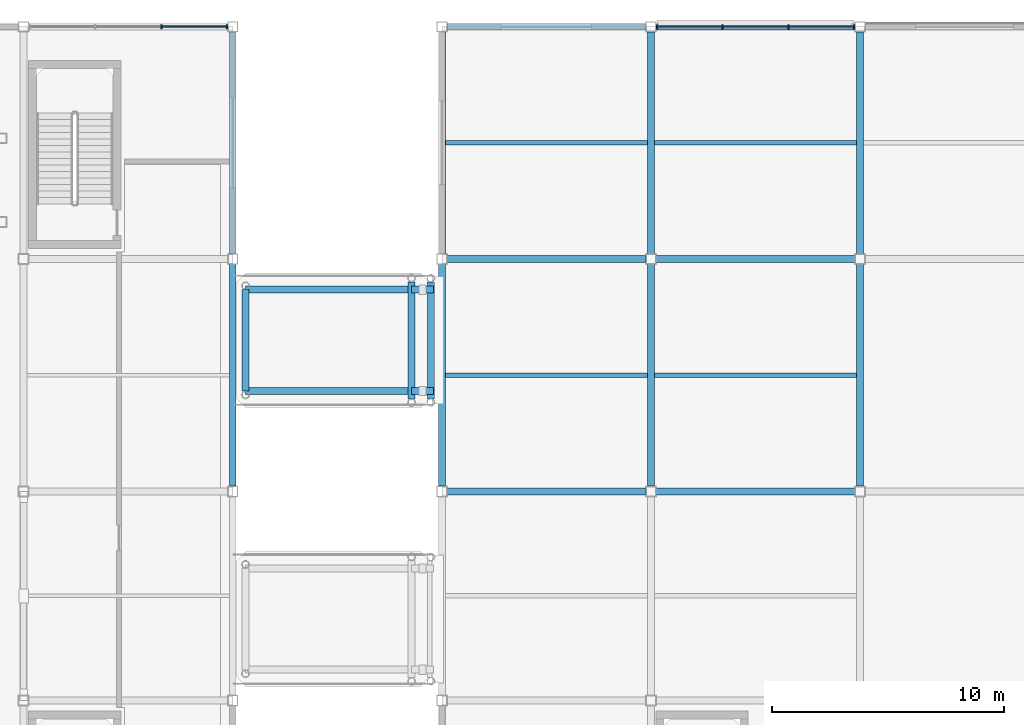
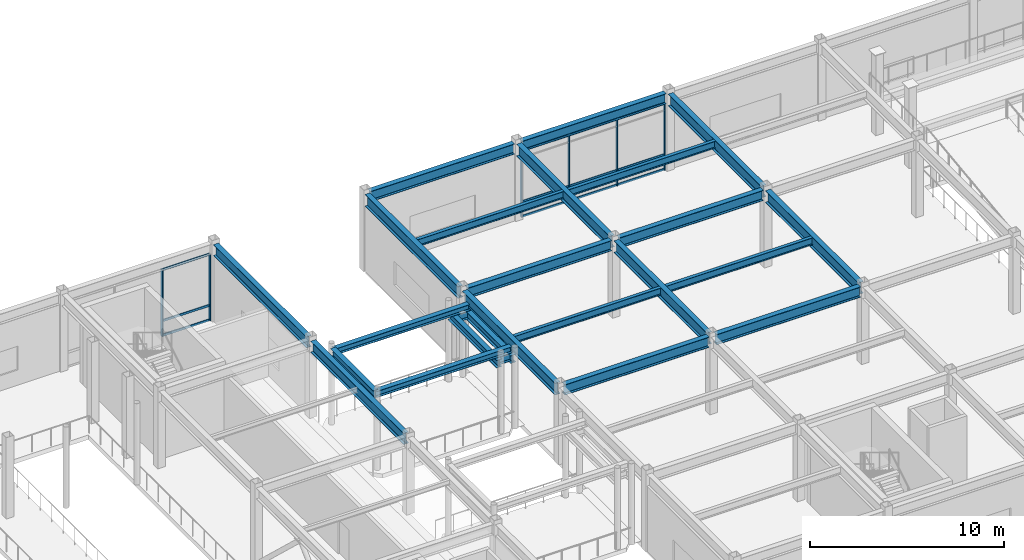
# One storey, part 45 of 123: 25 beams, 18 members, 2 elements without a shape of their own.
"""IFC4 building model written with IfcOpenShell, lengths in metres."""

from ifc_helpers import new_model, si_unit, direction, frame, origin, origin_2d, place, context, subcontext, project, spatial, rectangle, i_section, extrude, material, material_profile, profile_set, type_object, element, aggregate, save


model = new_model("IFC4")

# Units and contexts
model_context = context("Model", 3, precision=1e-05, world=origin(), true_north=direction((0.0, 1.0)))
body_context = subcontext(model_context, "Body", "Model", "MODEL_VIEW")
ifc_project = project(units=[si_unit("LENGTHUNIT", "METRE"), si_unit("AREAUNIT", "SQUARE_METRE"), si_unit("VOLUMEUNIT", "CUBIC_METRE"), si_unit("PLANEANGLEUNIT", "RADIAN"), si_unit("MASSUNIT", "GRAM", prefix="KILO")], contexts=[model_context])

# Site, building, storey
site_placement = place(None, origin())
site = spatial("IfcSite", under=ifc_project, at=site_placement, CompositionType="ELEMENT")
building_placement = place(site_placement, origin())
building = spatial("IfcBuilding", under=site, at=building_placement, Name="Suzunagisa Mobility Hub", CompositionType="ELEMENT")
storey_placement = place(building_placement, origin())
storey = spatial("IfcBuildingStorey", under=building, at=storey_placement, Name="L00", CompositionType="ELEMENT", Elevation=0.0)

# Curtain wall, members
ifc_material_1 = material(Name="Thermally Broken Anodized Aluminum and Low-E Glazing", Category="aluminium")
curtain_wall_type = type_object("IfcCurtainWallType", Name="Unitised Curtain Wall CW-32 8500x4200", PredefinedType="USERDEFINED", material=ifc_material_1)
curtain_wall_1_placement = place(storey_placement, origin())
curtain_wall_1 = element("IfcCurtainWall", 1, at=curtain_wall_1_placement, inside=storey, type_object=curtain_wall_type, Name="L00 Unitised Curtain Wall CW-47", ObjectType="UNITISED CURTAIN WALL", PredefinedType="USERDEFINED")
ifc_material_2 = material(Name="Anodized Aluminum 6063-T6", Category="aluminium")
ifc_material_profile_1 = material_profile(ifc_material_2, rectangle(XDim=0.06494140625, YDim=0.139892578125, at=origin_2d()), Name="TRAN-65x140")
ifc_profile_set_1 = profile_set([ifc_material_profile_1], Name="Anodized Aluminum 6063-T6")
member_type_1 = type_object("IfcMemberType", Name="Curtain Wall Framing CM-01 TRAN-65x140", PredefinedType="USERDEFINED", material=ifc_profile_set_1)
member_1_placement = place(storey_placement, frame((35.7119140625, 118.0, 0.032470703125), z_axis=(-1.0, 0.0, 0.0), x_axis=(0.0, -1.0, 0.0)))
member_1 = element("IfcMember", 2, at=member_1_placement, type_object=member_type_1, Name="Curtain Wall Transom 47-T1.1", ObjectType="TRANSOM", PredefinedType="USERDEFINED", context=body_context, shape_type="SweptSolid", body=[
    extrude(rectangle(XDim=0.06494140625, YDim=0.139892578125, at=origin_2d()), origin(), (0.0, 0.0, 1.0), 2.75634765625),
])
member_2_placement = place(storey_placement, frame((35.7119140625, 118.0, 0.949951171875), z_axis=(-1.0, 0.0, 0.0), x_axis=(0.0, -1.0, 0.0)))
member_2 = element("IfcMember", 3, at=member_2_placement, type_object=member_type_1, Name="Curtain Wall Transom 47-T1.2", ObjectType="TRANSOM", PredefinedType="USERDEFINED", context=body_context, shape_type="SweptSolid", body=[
    extrude(rectangle(XDim=0.06494140625, YDim=0.139892578125, at=origin_2d()), origin(), (0.0, 0.0, 1.0), 2.75634765625),
])
member_3_placement = place(storey_placement, frame((35.7119140625, 118.0, 4.157470703125), z_axis=(-1.0, 0.0, 0.0), x_axis=(0.0, -1.0, 0.0)))
member_3 = element("IfcMember", 4, at=member_3_placement, type_object=member_type_1, Name="Curtain Wall Transom 47-T1.3", ObjectType="TRANSOM", PredefinedType="USERDEFINED", context=body_context, shape_type="SweptSolid", body=[
    extrude(rectangle(XDim=0.06494140625, YDim=0.139892578125, at=origin_2d()), origin(), (0.0, 0.0, 1.0), 2.75634765625),
])

curtain_wall_2_placement = place(storey_placement, origin())
curtain_wall_2 = element("IfcCurtainWall", 5, at=curtain_wall_2_placement, inside=storey, type_object=curtain_wall_type, Name="L00 Unitised Curtain Wall CW-99", ObjectType="UNITISED CURTAIN WALL", PredefinedType="USERDEFINED")
member_4_placement = place(storey_placement, frame((62.7119140625, 118.0, 0.032470703125), z_axis=(-1.0, 0.0, 0.0), x_axis=(0.0, -1.0, 0.0)))
member_4 = element("IfcMember", 6, at=member_4_placement, type_object=member_type_1, Name="Curtain Wall Transom 99-T1.1", ObjectType="TRANSOM", PredefinedType="USERDEFINED", context=body_context, shape_type="SweptSolid", body=[
    extrude(rectangle(XDim=0.06494140625, YDim=0.139892578125, at=origin_2d()), origin(), (0.0, 0.0, 1.0), 2.75634765625),
])
member_5_placement = place(storey_placement, frame((62.7119140625, 118.0, 0.949951171875), z_axis=(-1.0, 0.0, 0.0), x_axis=(0.0, -1.0, 0.0)))
member_5 = element("IfcMember", 7, at=member_5_placement, type_object=member_type_1, Name="Curtain Wall Transom 99-T1.2", ObjectType="TRANSOM", PredefinedType="USERDEFINED", context=body_context, shape_type="SweptSolid", body=[
    extrude(rectangle(XDim=0.06494140625, YDim=0.139892578125, at=origin_2d()), origin(), (0.0, 0.0, 1.0), 2.75634765625),
])
member_6_placement = place(storey_placement, frame((62.7119140625, 118.0, 4.157470703125), z_axis=(-1.0, 0.0, 0.0), x_axis=(0.0, -1.0, 0.0)))
member_6 = element("IfcMember", 8, at=member_6_placement, type_object=member_type_1, Name="Curtain Wall Transom 99-T1.3", ObjectType="TRANSOM", PredefinedType="USERDEFINED", context=body_context, shape_type="SweptSolid", body=[
    extrude(rectangle(XDim=0.06494140625, YDim=0.139892578125, at=origin_2d()), origin(), (0.0, 0.0, 1.0), 2.75634765625),
])
member_7_placement = place(storey_placement, frame((59.89453125, 118.0, 0.032470703125), z_axis=(-1.0, 0.0, 0.0), x_axis=(0.0, -1.0, 0.0)))
member_7 = element("IfcMember", 9, at=member_7_placement, type_object=member_type_1, Name="Curtain Wall Transom 99-T2.1", ObjectType="TRANSOM", PredefinedType="USERDEFINED", context=body_context, shape_type="SweptSolid", body=[
    extrude(rectangle(XDim=0.06494140625, YDim=0.139892578125, at=origin_2d()), origin(), (0.0, 0.0, 1.0), 2.7890625),
])
member_8_placement = place(storey_placement, frame((59.89453125, 118.0, 0.949951171875), z_axis=(-1.0, 0.0, 0.0), x_axis=(0.0, -1.0, 0.0)))
member_8 = element("IfcMember", 10, at=member_8_placement, type_object=member_type_1, Name="Curtain Wall Transom 99-T2.2", ObjectType="TRANSOM", PredefinedType="USERDEFINED", context=body_context, shape_type="SweptSolid", body=[
    extrude(rectangle(XDim=0.06494140625, YDim=0.139892578125, at=origin_2d()), origin(), (0.0, 0.0, 1.0), 2.7890625),
])
member_9_placement = place(storey_placement, frame((59.89453125, 118.0, 4.157470703125), z_axis=(-1.0, 0.0, 0.0), x_axis=(0.0, -1.0, 0.0)))
member_9 = element("IfcMember", 11, at=member_9_placement, type_object=member_type_1, Name="Curtain Wall Transom 99-T2.3", ObjectType="TRANSOM", PredefinedType="USERDEFINED", context=body_context, shape_type="SweptSolid", body=[
    extrude(rectangle(XDim=0.06494140625, YDim=0.139892578125, at=origin_2d()), origin(), (0.0, 0.0, 1.0), 2.7890625),
])
member_10_placement = place(storey_placement, frame((57.04443359375, 118.0, 0.032470703125), z_axis=(-1.0, 0.0, 0.0), x_axis=(0.0, -1.0, 0.0)))
member_10 = element("IfcMember", 12, at=member_10_placement, type_object=member_type_1, Name="Curtain Wall Transom 99-T3.1", ObjectType="TRANSOM", PredefinedType="USERDEFINED", context=body_context, shape_type="SweptSolid", body=[
    extrude(rectangle(XDim=0.06494140625, YDim=0.139892578125, at=origin_2d()), origin(), (0.0, 0.0, 1.0), 2.75634765625),
])
member_11_placement = place(storey_placement, frame((57.04443359375, 118.0, 0.949951171875), z_axis=(-1.0, 0.0, 0.0), x_axis=(0.0, -1.0, 0.0)))
member_11 = element("IfcMember", 13, at=member_11_placement, type_object=member_type_1, Name="Curtain Wall Transom 99-T3.2", ObjectType="TRANSOM", PredefinedType="USERDEFINED", context=body_context, shape_type="SweptSolid", body=[
    extrude(rectangle(XDim=0.06494140625, YDim=0.139892578125, at=origin_2d()), origin(), (0.0, 0.0, 1.0), 2.75634765625),
])
member_12_placement = place(storey_placement, frame((57.04443359375, 118.0, 4.157470703125), z_axis=(-1.0, 0.0, 0.0), x_axis=(0.0, -1.0, 0.0)))
member_12 = element("IfcMember", 14, at=member_12_placement, type_object=member_type_1, Name="Curtain Wall Transom 99-T3.3", ObjectType="TRANSOM", PredefinedType="USERDEFINED", context=body_context, shape_type="SweptSolid", body=[
    extrude(rectangle(XDim=0.06494140625, YDim=0.139892578125, at=origin_2d()), origin(), (0.0, 0.0, 1.0), 2.75634765625),
])

# Member
ifc_material_profile_2 = material_profile(ifc_material_2, rectangle(XDim=0.06494140625, YDim=0.179931640625, at=origin_2d()), Name="MULL-65x180")
ifc_profile_set_2 = profile_set([ifc_material_profile_2], Name="Anodized Aluminum 6063-T6")
member_type_2 = type_object("IfcMemberType", Name="Curtain Wall Framing CM-04 MULL-65x180", PredefinedType="MULLION", material=ifc_profile_set_2)
member_13_placement = place(storey_placement, frame((35.742431640625, 118.0, 0.0), z_axis=(0.0, 0.0, 1.0), x_axis=(-1.0, 0.0, 0.0)))
member_13 = element("IfcMember", 15, at=member_13_placement, type_object=member_type_2, Name="Curtain Wall Mullion 47-M1", PredefinedType="MULLION", context=body_context, shape_type="SweptSolid", body=[
    extrude(rectangle(XDim=0.06494140625, YDim=0.179931640625, at=origin_2d()), origin(), (0.0, 0.0, 1.0), 4.18994140625),
])

member_14_placement = place(storey_placement, frame((32.925048828125, 118.0, 0.0), z_axis=(0.0, 0.0, 1.0), x_axis=(-1.0, 0.0, 0.0)))
member_14 = element("IfcMember", 16, at=member_14_placement, type_object=member_type_2, Name="Curtain Wall Mullion 47-M2", PredefinedType="MULLION", context=body_context, shape_type="SweptSolid", body=[
    extrude(rectangle(XDim=0.06494140625, YDim=0.179931640625, at=origin_2d()), origin(), (0.0, 0.0, 1.0), 4.18994140625),
])

aggregate(curtain_wall_1, [member_13, member_14, member_1, member_2, member_3])

member_15_placement = place(storey_placement, frame((62.742431640625, 118.0, 0.0), z_axis=(0.0, 0.0, 1.0), x_axis=(-1.0, 0.0, 0.0)))
member_15 = element("IfcMember", 17, at=member_15_placement, type_object=member_type_2, Name="Curtain Wall Mullion 99-M1", PredefinedType="MULLION", context=body_context, shape_type="SweptSolid", body=[
    extrude(rectangle(XDim=0.06494140625, YDim=0.179931640625, at=origin_2d()), origin(), (0.0, 0.0, 1.0), 4.18994140625),
])

member_16_placement = place(storey_placement, frame((59.925048828125, 118.0, 0.0), z_axis=(0.0, 0.0, 1.0), x_axis=(-1.0, 0.0, 0.0)))
member_16 = element("IfcMember", 18, at=member_16_placement, type_object=member_type_2, Name="Curtain Wall Mullion 99-M2", PredefinedType="MULLION", context=body_context, shape_type="SweptSolid", body=[
    extrude(rectangle(XDim=0.06494140625, YDim=0.179931640625, at=origin_2d()), origin(), (0.0, 0.0, 1.0), 4.18994140625),
])

member_17_placement = place(storey_placement, frame((57.074951171875, 118.0, 0.0), z_axis=(0.0, 0.0, 1.0), x_axis=(-1.0, 0.0, 0.0)))
member_17 = element("IfcMember", 19, at=member_17_placement, type_object=member_type_2, Name="Curtain Wall Mullion 99-M3", PredefinedType="MULLION", context=body_context, shape_type="SweptSolid", body=[
    extrude(rectangle(XDim=0.06494140625, YDim=0.179931640625, at=origin_2d()), origin(), (0.0, 0.0, 1.0), 4.18994140625),
])

member_18_placement = place(storey_placement, frame((54.257568359375, 118.0, 0.0), z_axis=(0.0, 0.0, 1.0), x_axis=(-1.0, 0.0, 0.0)))
member_18 = element("IfcMember", 20, at=member_18_placement, type_object=member_type_2, Name="Curtain Wall Mullion 99-M4", PredefinedType="MULLION", context=body_context, shape_type="SweptSolid", body=[
    extrude(rectangle(XDim=0.06494140625, YDim=0.179931640625, at=origin_2d()), origin(), (0.0, 0.0, 1.0), 4.18994140625),
])

aggregate(curtain_wall_2, [member_15, member_16, member_17, member_18, member_4, member_5, member_6, member_7, member_8, member_9, member_10, member_11, member_12])

# Beams
ifc_material_3 = material(Name="Steel SN400B", Category="steel")
ifc_material_profile_3 = material_profile(ifc_material_3, i_section(OverallWidth=0.199951171875, OverallDepth=0.449951171875, WebThickness=0.009033203125, FlangeThickness=0.013916015625, FilletRadius=0.012939453125, at=origin_2d()), Name="H-450x200x9x14")
ifc_profile_set_3 = profile_set([ifc_material_profile_3], Name="Steel SN400B")
beam_type_1 = type_object("IfcBeamType", Name="Steel Beam BM-05 H-450x200x9x14", PredefinedType="JOIST", material=ifc_profile_set_3)
for number, where, z_axis, x_axis, name in (
    (21, (45.14990234375, 103.0, 4.614990234375), (1.0, 0.0, 0.0), (0.0, 1.0, 0.0), "L00 Composite Floor Joist J-781"),
    (22, (45.14990234375, 113.0, 4.614990234375), (1.0, 0.0, 0.0), (0.0, 1.0, 0.0), "L00 Composite Floor Joist J-782"),
    (23, (54.14990234375, 103.0, 4.614990234375), (1.0, 0.0, 0.0), (0.0, 1.0, 0.0), "L00 Composite Floor Joist J-784"),
    (24, (54.14990234375, 113.0, 4.614990234375), (1.0, 0.0, 0.0), (0.0, 1.0, 0.0), "L00 Composite Floor Joist J-785"),
):
    element("IfcBeam", number, at=place(storey_placement, frame(where, z_axis=z_axis, x_axis=x_axis)), inside=storey, type_object=beam_type_1, Name=name, PredefinedType="JOIST", context=body_context, shape_type="SweptSolid", body=[
        extrude(i_section(OverallWidth=0.199951171875, OverallDepth=0.449951171875, WebThickness=0.009033203125, FlangeThickness=0.013916015625, FilletRadius=0.012939453125, at=origin_2d()), origin(), (0.0, 0.0, 1.0), 8.7001953125),
    ])
ifc_material_4 = material(Name="Steel SN490B", Category="steel")
ifc_material_profile_4 = material_profile(ifc_material_4, i_section(OverallWidth=0.300048828125, OverallDepth=0.488037109375, WebThickness=0.010986328125, FlangeThickness=0.01806640625, FilletRadius=0.012939453125, at=origin_2d()), Name="H-488x300x11x18")
ifc_profile_set_4 = profile_set([ifc_material_profile_4], Name="Steel SN490B")
beam_type_2 = type_object("IfcBeamType", Name="Steel Beam BM-06 H-488x300x11x18", PredefinedType="BEAM", material=ifc_profile_set_4)
beam_placement = place(storey_placement, frame((36.550048828125, 102.31005859375, 4.595947265625), z_axis=(0.0, 1.0, 0.0), x_axis=(-1.0, 0.0, 0.0)))
element("IfcBeam", 25, at=beam_placement, inside=storey, type_object=beam_type_2, Name="L01 Skybridge Fixed Crosshead VRL-L01-N", PredefinedType="BEAM", context=body_context, shape_type="SweptSolid", body=[
    extrude(i_section(OverallWidth=0.300048828125, OverallDepth=0.488037109375, WebThickness=0.010986328125, FlangeThickness=0.01806640625, FilletRadius=0.012939453125, at=origin_2d()), origin(), (0.0, 0.0, 1.0), 4.3798828125),
])
for number, where, z_axis, x_axis, name in (
    (26, (43.699951171875, 101.97998046875, 4.2060546875), (0.0, 1.0, 0.0), (-1.0, 0.0, 0.0), "L01 Skybridge Seat Crosshead VRL-L01-N-W"),
    (27, (44.530029296875, 101.97998046875, 4.2060546875), (0.0, 1.0, 0.0), (-1.0, 0.0, 0.0), "L01 Skybridge Seat Crosshead VRL-L01-N-E"),
):
    element("IfcBeam", number, at=place(storey_placement, frame(where, z_axis=z_axis, x_axis=x_axis)), inside=storey, type_object=beam_type_2, Name=name, PredefinedType="BEAM", context=body_context, shape_type="SweptSolid", body=[
        extrude(i_section(OverallWidth=0.300048828125, OverallDepth=0.488037109375, WebThickness=0.010986328125, FlangeThickness=0.01806640625, FilletRadius=0.012939453125, at=origin_2d()), origin(), (0.0, 0.0, 1.0), 5.0400390625),
    ])
for number, where, z_axis, x_axis, name in (
    (28, (43.699951171875, 102.320068359375, 4.2060546875), (1.0, 0.0, 0.0), (0.0, 1.0, 0.0), "L01 Skybridge 950mm Bearing Seat VRL-L01-N-A"),
    (29, (43.699951171875, 106.679931640625, 4.2060546875), (1.0, 0.0, 0.0), (0.0, 1.0, 0.0), "L01 Skybridge 950mm Bearing Seat VRL-L01-N-B"),
):
    element("IfcBeam", number, at=place(storey_placement, frame(where, z_axis=z_axis, x_axis=x_axis)), inside=storey, type_object=beam_type_2, Name=name, PredefinedType="BEAM", context=body_context, shape_type="SweptSolid", body=[
        extrude(i_section(OverallWidth=0.300048828125, OverallDepth=0.488037109375, WebThickness=0.010986328125, FlangeThickness=0.01806640625, FilletRadius=0.012939453125, at=origin_2d()), origin(), (0.0, 0.0, 1.0), 0.949951171875),
    ])
ifc_material_profile_5 = material_profile(ifc_material_4, i_section(OverallWidth=0.300048828125, OverallDepth=0.64990234375, WebThickness=0.012939453125, FlangeThickness=0.02197265625, FilletRadius=0.01611328125, at=origin_2d()), Name="H-650x300x13x22")
ifc_profile_set_5 = profile_set([ifc_material_profile_5], Name="Steel SN490B")
beam_type_3 = type_object("IfcBeamType", Name="Steel Beam BM-10 H-650x300x13x22", PredefinedType="BEAM", material=ifc_profile_set_5)
for number, where, z_axis, x_axis, name in (
    (30, (45.220947265625, 98.0, 4.514892578125), (1.0, 0.0, 0.0), (0.0, 1.0, 0.0), "L00 Primary Girder GX-720"),
    (31, (54.220947265625, 98.0, 4.514892578125), (1.0, 0.0, 0.0), (0.0, 1.0, 0.0), "L00 Primary Girder GX-721"),
    (32, (45.220947265625, 108.0, 4.514892578125), (1.0, 0.0, 0.0), (0.0, 1.0, 0.0), "L00 Primary Girder GX-727"),
    (33, (54.220947265625, 108.0, 4.514892578125), (1.0, 0.0, 0.0), (0.0, 1.0, 0.0), "L00 Primary Girder GX-728"),
    (34, (45.220947265625, 118.0, 4.514892578125), (1.0, 0.0, 0.0), (0.0, 1.0, 0.0), "L00 Primary Girder GX-734"),
    (35, (54.220947265625, 118.0, 4.514892578125), (1.0, 0.0, 0.0), (0.0, 1.0, 0.0), "L00 Primary Girder GX-735"),
):
    element("IfcBeam", number, at=place(storey_placement, frame(where, z_axis=z_axis, x_axis=x_axis)), inside=storey, type_object=beam_type_3, Name=name, PredefinedType="BEAM", context=body_context, shape_type="SweptSolid", body=[
        extrude(i_section(OverallWidth=0.300048828125, OverallDepth=0.64990234375, WebThickness=0.012939453125, FlangeThickness=0.02197265625, FilletRadius=0.01611328125, at=origin_2d()), origin(), (0.0, 0.0, 1.0), 8.55810546875),
    ])
ifc_material_profile_6 = material_profile(ifc_material_4, i_section(OverallWidth=0.300048828125, OverallDepth=0.699951171875, WebThickness=0.012939453125, FlangeThickness=0.02392578125, FilletRadius=0.01806640625, at=origin_2d()), Name="H-700x300x13x24")
ifc_profile_set_6 = profile_set([ifc_material_profile_6], Name="Steel SN490B")
beam_type_4 = type_object("IfcBeamType", Name="Steel Beam BM-11 H-700x300x13x24", PredefinedType="BEAM", material=ifc_profile_set_6)
for number, where, z_axis, x_axis, name in (
    (36, (36.0, 98.220947265625, 4.489990234375), (0.0, 1.0, 0.0), (-1.0, 0.0, 0.0), "L00 Primary Girder GY-477"),
    (37, (36.0, 108.220947265625, 4.489990234375), (0.0, 1.0, 0.0), (-1.0, 0.0, 0.0), "L00 Primary Girder GY-478"),
):
    element("IfcBeam", number, at=place(storey_placement, frame(where, z_axis=z_axis, x_axis=x_axis)), inside=storey, type_object=beam_type_4, Name=name, PredefinedType="BEAM", context=body_context, shape_type="SweptSolid", body=[
        extrude(i_section(OverallWidth=0.300048828125, OverallDepth=0.699951171875, WebThickness=0.012939453125, FlangeThickness=0.02392578125, FilletRadius=0.01806640625, at=origin_2d()), origin(), (0.0, 0.0, 1.0), 9.55810546875),
    ])
ifc_material_profile_7 = material_profile(ifc_material_4, i_section(OverallWidth=0.300048828125, OverallDepth=0.75, WebThickness=0.013916015625, FlangeThickness=0.02587890625, FilletRadius=0.01806640625, at=origin_2d()), Name="H-750x300x14x26")
ifc_profile_set_7 = profile_set([ifc_material_profile_7], Name="Steel SN490B")
beam_type_5 = type_object("IfcBeamType", Name="Steel Beam BM-15 H-750x300x14x26", PredefinedType="BEAM", material=ifc_profile_set_7)
for number, where, z_axis, x_axis, name in (
    (38, (45.0, 98.220947265625, 4.465087890625), (0.0, 1.0, 0.0), (-1.0, 0.0, 0.0), "L00 Primary Girder GY-744"),
    (39, (45.0, 108.220947265625, 4.465087890625), (0.0, 1.0, 0.0), (-1.0, 0.0, 0.0), "L00 Primary Girder GY-745"),
    (40, (54.0, 98.220947265625, 4.465087890625), (0.0, 1.0, 0.0), (-1.0, 0.0, 0.0), "L00 Primary Girder GY-748"),
    (41, (54.0, 108.220947265625, 4.465087890625), (0.0, 1.0, 0.0), (-1.0, 0.0, 0.0), "L00 Primary Girder GY-749"),
    (42, (63.0, 98.220947265625, 4.465087890625), (0.0, 1.0, 0.0), (-1.0, 0.0, 0.0), "L00 Primary Girder GY-752"),
    (43, (63.0, 108.220947265625, 4.465087890625), (0.0, 1.0, 0.0), (-1.0, 0.0, 0.0), "L00 Primary Girder GY-753"),
):
    element("IfcBeam", number, at=place(storey_placement, frame(where, z_axis=z_axis, x_axis=x_axis)), inside=storey, type_object=beam_type_5, Name=name, PredefinedType="BEAM", context=body_context, shape_type="SweptSolid", body=[
        extrude(i_section(OverallWidth=0.300048828125, OverallDepth=0.75, WebThickness=0.013916015625, FlangeThickness=0.02587890625, FilletRadius=0.01806640625, at=origin_2d()), origin(), (0.0, 0.0, 1.0), 9.55810546875),
    ])
ifc_material_profile_8 = material_profile(ifc_material_4, i_section(OverallWidth=0.300048828125, OverallDepth=0.389892578125, WebThickness=0.010009765625, FlangeThickness=0.01611328125, FilletRadius=0.012939453125, at=origin_2d()), Name="H-390x300x10x16")
ifc_profile_set_8 = profile_set([ifc_material_profile_8], Name="Steel SN490B")
beam_type_6 = type_object("IfcBeamType", Name="Steel Beam BM-17 H-390x300x10x16", PredefinedType="T_BEAM", material=ifc_profile_set_8)
for number, where, z_axis, x_axis, name in (
    (44, (36.550048828125, 102.320068359375, 4.64501953125), (1.0, 0.0, 0.0), (0.0, 1.0, 0.0), "L01 Bridge Girder VRL-L01-N-A"),
    (45, (36.550048828125, 106.679931640625, 4.64501953125), (1.0, 0.0, 0.0), (0.0, 1.0, 0.0), "L01 Bridge Girder VRL-L01-N-B"),
):
    element("IfcBeam", number, at=place(storey_placement, frame(where, z_axis=z_axis, x_axis=x_axis)), inside=storey, type_object=beam_type_6, Name=name, PredefinedType="T_BEAM", context=body_context, shape_type="SweptSolid", body=[
        extrude(i_section(OverallWidth=0.300048828125, OverallDepth=0.389892578125, WebThickness=0.010009765625, FlangeThickness=0.01611328125, FilletRadius=0.012939453125, at=origin_2d()), origin(), (0.0, 0.0, 1.0), 8.02001953125),
    ])

save(model, "model.ifc")
